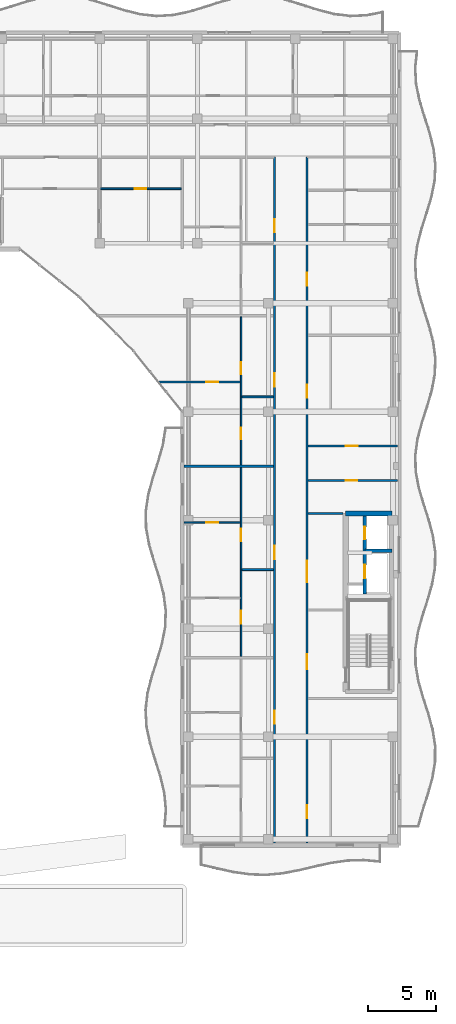
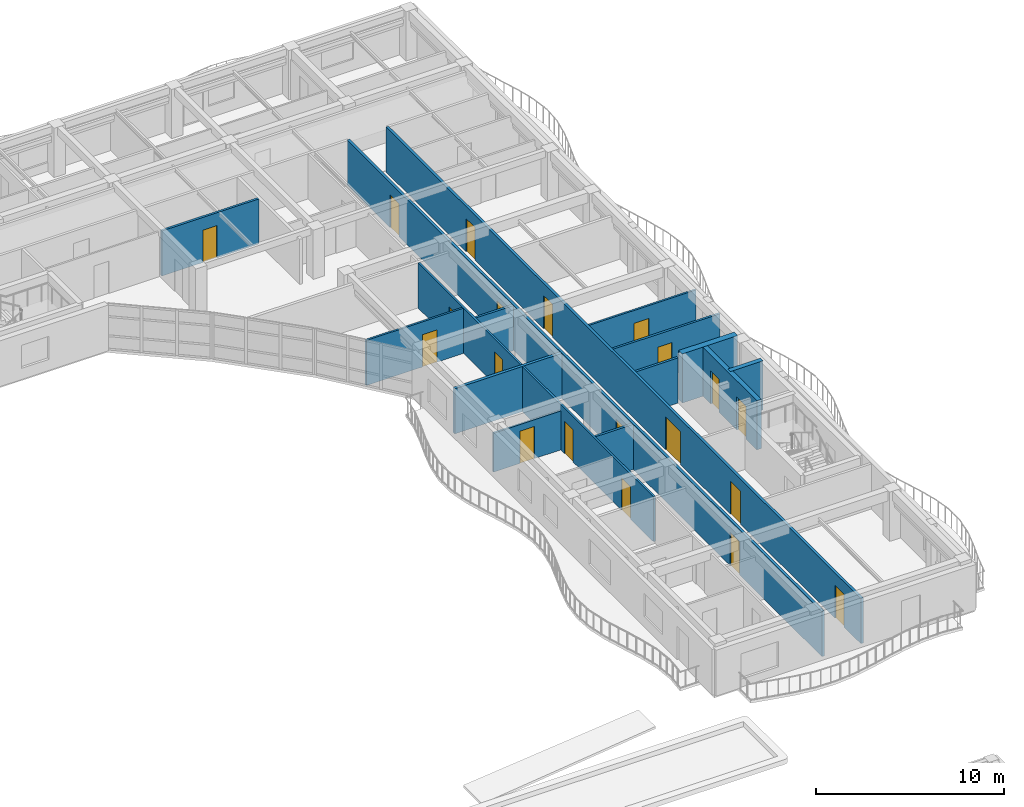
# One storey, part 98 of 128: 20 doors, 16 walls, 20 openings.
"""IFC4 building model written with IfcOpenShell, lengths in metres."""

from ifc_helpers import new_model, si_unit, direction, frame, frame_2d, origin, place, context, subcontext, project, spatial, rectangle, extrude, material, layer, layer_set, type_object, element, fill, save


model = new_model("IFC4")

# Units and contexts
model_context = context("Model", 3, precision=1e-05, world=origin(), true_north=direction((0.0, 1.0)))
body_context = subcontext(model_context, "Body", "Model", "MODEL_VIEW")
ifc_project = project(units=[si_unit("LENGTHUNIT", "METRE"), si_unit("AREAUNIT", "SQUARE_METRE"), si_unit("VOLUMEUNIT", "CUBIC_METRE"), si_unit("PLANEANGLEUNIT", "RADIAN"), si_unit("MASSUNIT", "GRAM", prefix="KILO")], contexts=[model_context])

# Site, building, storey
site_placement = place(None, origin())
site = spatial("IfcSite", under=ifc_project, at=site_placement, CompositionType="ELEMENT")
building_placement = place(site_placement, origin())
building = spatial("IfcBuilding", under=site, at=building_placement, Name="Keldmere Railside Commons", CompositionType="ELEMENT")
storey_placement = place(building_placement, frame((0.0, 0.0, 4.159912109375)))
storey = spatial("IfcBuildingStorey", under=building, at=storey_placement, Name="L01", CompositionType="ELEMENT", Elevation=4.159912109375)

# Wall
ifc_material_1 = material(Name="Acoustic Gypsum Board Partition", Category="gypsum")
ifc_layer_1 = layer(ifc_material_1, 0.179931640625, Name="Acoustic Demising Partition 180")
ifc_layer_set_1 = layer_set([ifc_layer_1], Name="Acoustic Gypsum Board Partition")
wall_type_1 = type_object("IfcWallType", Name="Acoustic Demising Partition 180", PredefinedType="PARTITIONING", material=ifc_layer_set_1)
wall_1_placement = place(storey_placement, frame((168.1298828125, 83.97998046875, 0.0), z_axis=(0.0, 0.0, 1.0), x_axis=(1.0, 0.0, 0.0)))
element("IfcWall", 1, at=wall_1_placement, inside=storey, type_object=wall_type_1, Name="IW-1 IW-L01-1431", PredefinedType="PARTITIONING", context=body_context, shape_type="SweptSolid", body=[
    extrude(rectangle(XDim=6.590087890625, YDim=0.179931640625, at=frame_2d((3.294921875, 0.0))), origin(), (0.0, 0.0, 1.0), 2.93505859375),
])

# Wall, openings, doors
ifc_layer_2 = layer(ifc_material_1, 0.1201171875, Name="Apartment Interior Partition 120")
ifc_layer_set_2 = layer_set([ifc_layer_2], Name="Acoustic Gypsum Board Partition")
wall_type_2 = type_object("IfcWallType", Name="Apartment Interior Partition 120", PredefinedType="PARTITIONING", material=ifc_layer_set_2)
wall_2_placement = place(storey_placement, frame((172.340087890625, 69.919921875, 0.0), z_axis=(0.0, 0.0, 1.0), x_axis=(0.0, 1.0, 0.0)))
wall_2 = element("IfcWall", 2, at=wall_2_placement, inside=storey, type_object=wall_type_2, Name="IW-4 IW-L01-1437", PredefinedType="PARTITIONING", context=body_context, shape_type="SweptSolid", body=[
    extrude(rectangle(XDim=13.969970703125, YDim=0.1201171875, at=frame_2d((6.98486328125, 0.0))), origin(), (0.0, 0.0, 1.0), 2.93505859375),
])
opening_1_placement = place(wall_2_placement, frame((2.443359375, 0.0, 0.0)))
opening_1 = element("IfcOpeningElement", 3, at=opening_1_placement, cuts=wall_2, Name="Opening ID-05", PredefinedType="OPENING", context=body_context, shape_type="SweptSolid", body=[
    extrude(rectangle(XDim=0.93994140625, YDim=2.10009765625, at=frame_2d((0.469970703125, 1.050048828125))), frame((0.0, 0.070068359375, 0.0), z_axis=(0.0, -1.0, 0.0), x_axis=(1.0, 0.0, 0.0)), (0.0, 0.0, 1.0), 0.14013671875),
])
opening_2_placement = place(wall_2_placement, frame((8.541259765625, 0.0, 0.0)))
opening_2 = element("IfcOpeningElement", 4, at=opening_2_placement, cuts=wall_2, Name="Opening ID-03", PredefinedType="OPENING", context=body_context, shape_type="SweptSolid", body=[
    extrude(rectangle(XDim=0.919921875, YDim=2.10009765625, at=frame_2d((0.4599609375, 1.050048828125))), frame((0.0, 0.070068359375, 0.0), z_axis=(0.0, -1.0, 0.0), x_axis=(1.0, 0.0, 0.0)), (0.0, 0.0, 1.0), 0.14013671875),
])
ifc_material_2 = material(Name="Engineered Oak Timber", Category="wood")
door_type_1 = type_object("IfcDoorType", Name="Accessible Bathroom Door 940x2100", OperationType="NOTDEFINED", PredefinedType="DOOR", material=ifc_material_2)
door_1_placement = place(opening_1_placement, origin())
door_1 = element("IfcDoor", 5, at=door_1_placement, inside=storey, type_object=door_type_1, Name="ID-05 IDR-L01-1281", OperationType="SINGLE_SWING_LEFT", OverallHeight=2.10009765625, OverallWidth=0.93994140625, PredefinedType="DOOR", context=body_context, shape_type="SweptSolid", body=[
    extrude(rectangle(XDim=0.93994140625, YDim=2.10009765625, at=frame_2d((0.469970703125, 1.050048828125))), frame((0.0, 0.02490234375, 0.0), z_axis=(0.0, -1.0, 0.0), x_axis=(1.0, 0.0, 0.0)), (0.0, 0.0, 1.0), 0.050048828125),
])
fill(opening_1, door_1)
door_type_2 = type_object("IfcDoorType", Name="Kitchen Pocket-Frame Swing Door 920x2100", OperationType="NOTDEFINED", PredefinedType="DOOR", material=ifc_material_2)
door_2_placement = place(opening_2_placement, origin())
door_2 = element("IfcDoor", 6, at=door_2_placement, inside=storey, type_object=door_type_2, Name="ID-03 IDR-L01-1282", OperationType="SINGLE_SWING_RIGHT", OverallHeight=2.10009765625, OverallWidth=0.919921875, PredefinedType="DOOR", context=body_context, shape_type="SweptSolid", body=[
    extrude(rectangle(XDim=0.919921875, YDim=2.10009765625, at=frame_2d((0.4599609375, 1.050048828125))), frame((0.0, 0.02490234375, 0.0), z_axis=(0.0, -1.0, 0.0), x_axis=(1.0, 0.0, 0.0)), (0.0, 0.0, 1.0), 0.050048828125),
])
fill(opening_2, door_2)

# Wall, opening, door
wall_3_placement = place(storey_placement, frame((168.1298828125, 79.840087890625, 0.0), z_axis=(0.0, 0.0, 1.0), x_axis=(1.0, 0.0, 0.0)))
wall_3 = element("IfcWall", 7, at=wall_3_placement, inside=storey, type_object=wall_type_2, Name="IW-4 IW-L01-1440", PredefinedType="PARTITIONING", context=body_context, shape_type="SweptSolid", body=[
    extrude(rectangle(XDim=4.150146484375, YDim=0.1201171875, at=frame_2d((2.0751953125, 0.0))), origin(), (0.0, 0.0, 1.0), 2.530029296875),
])
opening_3_placement = place(wall_3_placement, frame((1.635009765625, 0.0, 0.0)))
opening_3 = element("IfcOpeningElement", 8, at=opening_3_placement, cuts=wall_3, Name="Opening ID-02", PredefinedType="OPENING", context=body_context, shape_type="SweptSolid", body=[
    extrude(rectangle(XDim=0.8798828125, YDim=2.10009765625, at=frame_2d((0.43994140625, 1.050048828125))), frame((0.0, 0.070068359375, 0.0), z_axis=(0.0, -1.0, 0.0), x_axis=(1.0, 0.0, 0.0)), (0.0, 0.0, 1.0), 0.14013671875),
])
door_type_3 = type_object("IfcDoorType", Name="Secondary Bedroom Door 880x2100", OperationType="NOTDEFINED", PredefinedType="DOOR", material=ifc_material_2)
door_3_placement = place(opening_3_placement, origin())
door_3 = element("IfcDoor", 9, at=door_3_placement, inside=storey, type_object=door_type_3, Name="ID-02 IDR-L01-1285", OperationType="SINGLE_SWING_LEFT", OverallHeight=2.10009765625, OverallWidth=0.8798828125, PredefinedType="DOOR", context=body_context, shape_type="SweptSolid", body=[
    extrude(rectangle(XDim=0.8798828125, YDim=2.10009765625, at=frame_2d((0.43994140625, 1.050048828125))), frame((0.0, 0.02490234375, 0.0), z_axis=(0.0, -1.0, 0.0), x_axis=(1.0, 0.0, 0.0)), (0.0, 0.0, 1.0), 0.050048828125),
])
fill(opening_3, door_3)

# Wall, openings, doors
wall_4_placement = place(storey_placement, frame((172.340087890625, 84.070068359375, 0.0), z_axis=(0.0, 0.0, 1.0), x_axis=(0.0, 1.0, 0.0)))
wall_4 = element("IfcWall", 10, at=wall_4_placement, inside=storey, type_object=wall_type_2, Name="IW-4 IW-L01-1441", PredefinedType="PARTITIONING", context=body_context, shape_type="SweptSolid", body=[
    extrude(rectangle(XDim=10.93994140625, YDim=0.1201171875, at=frame_2d((5.469970703125, 0.0))), origin(), (0.0, 0.0, 1.0), 2.93505859375),
])
opening_4_placement = place(wall_4_placement, frame((1.911376953125, 0.0, 0.0)))
opening_4 = element("IfcOpeningElement", 11, at=opening_4_placement, cuts=wall_4, Name="Opening ID-04", PredefinedType="OPENING", context=body_context, shape_type="SweptSolid", body=[
    extrude(rectangle(XDim=0.860107421875, YDim=2.10009765625, at=frame_2d((0.43017578125, 1.050048828125))), frame((0.0, 0.070068359375, 0.0), z_axis=(0.0, -1.0, 0.0), x_axis=(1.0, 0.0, 0.0)), (0.0, 0.0, 1.0), 0.14013671875),
])
opening_5_placement = place(wall_4_placement, frame((6.684814453125, 0.0, 0.0)))
opening_5 = element("IfcOpeningElement", 12, at=opening_5_placement, cuts=wall_4, Name="Opening ID-03", PredefinedType="OPENING", context=body_context, shape_type="SweptSolid", body=[
    extrude(rectangle(XDim=0.919921875, YDim=2.10009765625, at=frame_2d((0.4599609375, 1.050048828125))), frame((0.0, 0.070068359375, 0.0), z_axis=(0.0, -1.0, 0.0), x_axis=(1.0, 0.0, 0.0)), (0.0, 0.0, 1.0), 0.14013671875),
])
door_type_4 = type_object("IfcDoorType", Name="Apartment Bathroom Door 860x2100", OperationType="NOTDEFINED", PredefinedType="DOOR", material=ifc_material_2)
door_4_placement = place(opening_4_placement, origin())
door_4 = element("IfcDoor", 13, at=door_4_placement, inside=storey, type_object=door_type_4, Name="ID-04 IDR-L01-1286", OperationType="SINGLE_SWING_RIGHT", OverallHeight=2.10009765625, OverallWidth=0.860107421875, PredefinedType="DOOR", context=body_context, shape_type="SweptSolid", body=[
    extrude(rectangle(XDim=0.860107421875, YDim=2.10009765625, at=frame_2d((0.43017578125, 1.050048828125))), frame((0.0, 0.02490234375, 0.0), z_axis=(0.0, -1.0, 0.0), x_axis=(1.0, 0.0, 0.0)), (0.0, 0.0, 1.0), 0.050048828125),
])
fill(opening_4, door_4)
door_5_placement = place(opening_5_placement, origin())
door_5 = element("IfcDoor", 14, at=door_5_placement, inside=storey, type_object=door_type_2, Name="ID-03 IDR-L01-1287", OperationType="SINGLE_SWING_LEFT", OverallHeight=2.10009765625, OverallWidth=0.919921875, PredefinedType="DOOR", context=body_context, shape_type="SweptSolid", body=[
    extrude(rectangle(XDim=0.919921875, YDim=2.10009765625, at=frame_2d((0.4599609375, 1.050048828125))), frame((0.0, 0.02490234375, 0.0), z_axis=(0.0, -1.0, 0.0), x_axis=(1.0, 0.0, 0.0)), (0.0, 0.0, 1.0), 0.050048828125),
])
fill(opening_5, door_5)

# Wall, opening, door
wall_5_placement = place(storey_placement, frame((166.286376953125, 90.199951171875, 0.0), z_axis=(0.0, 0.0, 1.0), x_axis=(1.0, 0.0, 0.0)))
wall_5 = element("IfcWall", 15, at=wall_5_placement, inside=storey, type_object=wall_type_2, Name="IW-4 IW-L01-1443", PredefinedType="PARTITIONING", context=body_context, shape_type="SweptSolid", body=[
    extrude(rectangle(XDim=5.99365234375, YDim=0.1201171875, at=frame_2d((2.996826171875, 0.0))), origin(), (0.0, 0.0, 1.0), 2.93505859375),
])
opening_6_placement = place(wall_5_placement, frame((3.468994140625, 0.0, 0.0)))
opening_6 = element("IfcOpeningElement", 16, at=opening_6_placement, cuts=wall_5, Name="Opening ID-01", PredefinedType="OPENING", context=body_context, shape_type="SweptSolid", body=[
    extrude(rectangle(XDim=0.89990234375, YDim=2.10009765625, at=frame_2d((0.449951171875, 1.050048828125))), frame((0.0, 0.070068359375, 0.0), z_axis=(0.0, -1.0, 0.0), x_axis=(1.0, 0.0, 0.0)), (0.0, 0.0, 1.0), 0.14013671875),
])
door_type_5 = type_object("IfcDoorType", Name="Primary Bedroom Door 900x2100", OperationType="NOTDEFINED", PredefinedType="DOOR", material=ifc_material_2)
door_6_placement = place(opening_6_placement, origin())
door_6 = element("IfcDoor", 17, at=door_6_placement, inside=storey, type_object=door_type_5, Name="ID-01 IDR-L01-1289", OperationType="SINGLE_SWING_LEFT", OverallHeight=2.10009765625, OverallWidth=0.89990234375, PredefinedType="DOOR", context=body_context, shape_type="SweptSolid", body=[
    extrude(rectangle(XDim=0.89990234375, YDim=2.10009765625, at=frame_2d((0.449951171875, 1.050048828125))), frame((0.0, 0.02490234375, 0.0), z_axis=(0.0, -1.0, 0.0), x_axis=(1.0, 0.0, 0.0)), (0.0, 0.0, 1.0), 0.050048828125),
])
fill(opening_6, door_6)

wall_6_placement = place(storey_placement, frame((177.280029296875, 85.47998046875, 0.0), z_axis=(0.0, 0.0, 1.0), x_axis=(1.0, 0.0, 0.0)))
wall_6 = element("IfcWall", 18, at=wall_6_placement, inside=storey, type_object=wall_type_2, Name="IW-4 IW-L01-1459", PredefinedType="PARTITIONING", context=body_context, shape_type="SweptSolid", body=[
    extrude(rectangle(XDim=6.590087890625, YDim=0.1201171875, at=frame_2d((3.294921875, 0.0))), origin(), (0.0, 0.0, 1.0), 2.93505859375),
])
opening_7_placement = place(wall_6_placement, frame((2.767822265625, 0.0, 0.0)))
opening_7 = element("IfcOpeningElement", 19, at=opening_7_placement, cuts=wall_6, Name="Opening ID-03", PredefinedType="OPENING", context=body_context, shape_type="SweptSolid", body=[
    extrude(rectangle(XDim=0.919921875, YDim=2.10009765625, at=frame_2d((0.4599609375, 1.050048828125))), frame((0.0, 0.070068359375, 0.0), z_axis=(0.0, -1.0, 0.0), x_axis=(1.0, 0.0, 0.0)), (0.0, 0.0, 1.0), 0.14013671875),
])
door_7_placement = place(opening_7_placement, origin())
door_7 = element("IfcDoor", 20, at=door_7_placement, inside=storey, type_object=door_type_2, Name="ID-03 IDR-L01-1310", OperationType="SINGLE_SWING_RIGHT", OverallHeight=2.10009765625, OverallWidth=0.919921875, PredefinedType="DOOR", context=body_context, shape_type="SweptSolid", body=[
    extrude(rectangle(XDim=0.919921875, YDim=2.10009765625, at=frame_2d((0.4599609375, 1.050048828125))), frame((0.0, 0.02490234375, 0.0), z_axis=(0.0, -1.0, 0.0), x_axis=(1.0, 0.0, 0.0)), (0.0, 0.0, 1.0), 0.050048828125),
])
fill(opening_7, door_7)

# Wall
ifc_material_3 = material(Name="Concrete H-35 (C35/45)", Category="concrete")
ifc_layer_3 = layer(ifc_material_3, 0.280029296875, Name="Core Shear Wall 280")
ifc_layer_set_3 = layer_set([ifc_layer_3], Name="Concrete H-35 (C35/45)")
wall_type_3 = type_object("IfcWallType", Name="Core Shear Wall 280", PredefinedType="SHEAR", material=ifc_layer_set_3)
wall_7_placement = place(storey_placement, frame((181.469970703125, 77.75, 0.0), z_axis=(0.0, 0.0, 1.0), x_axis=(1.0, 0.0, 0.0)))
element("IfcWall", 21, at=wall_7_placement, inside=storey, type_object=wall_type_3, Name="CSW-2 COREAL-L01-0725", PredefinedType="SHEAR", context=body_context, shape_type="SweptSolid", body=[
    extrude(rectangle(XDim=2.0, YDim=0.280029296875, at=frame_2d((1.0, 0.0))), origin(), (0.0, 0.0, 1.0), 3.2001953125),
])

# Wall, openings, doors
wall_8_placement = place(storey_placement, frame((181.469970703125, 74.550048828125, 0.0), z_axis=(0.0, 0.0, 1.0), x_axis=(0.0, 1.0, 0.0)))
wall_8 = element("IfcWall", 22, at=wall_8_placement, inside=storey, type_object=wall_type_3, Name="CSW-2 LSHA-L01-0726", PredefinedType="SHEAR", context=body_context, shape_type="SweptSolid", body=[
    extrude(rectangle(XDim=5.949951171875, YDim=0.280029296875, at=frame_2d((2.97509765625, 0.0))), origin(), (0.0, 0.0, 1.0), 3.2001953125),
])
opening_8_placement = place(wall_8_placement, frame((1.14990234375, 0.0, 0.0)))
opening_8 = element("IfcOpeningElement", 23, at=opening_8_placement, cuts=wall_8, Name="Opening LD-1", PredefinedType="OPENING", context=body_context, shape_type="SweptSolid", body=[
    extrude(rectangle(XDim=1.0, YDim=2.14990234375, at=frame_2d((0.5, 1.074951171875))), frame((0.0, 0.14990234375, 0.0), z_axis=(0.0, -1.0, 0.0), x_axis=(1.0, 0.0, 0.0)), (0.0, 0.0, 1.0), 0.300048828125),
])
opening_9_placement = place(wall_8_placement, frame((4.050048828125, 0.0, 0.0)))
opening_9 = element("IfcOpeningElement", 24, at=opening_9_placement, cuts=wall_8, Name="Opening LD-2", PredefinedType="OPENING", context=body_context, shape_type="SweptSolid", body=[
    extrude(rectangle(XDim=0.89990234375, YDim=2.14990234375, at=frame_2d((0.449951171875, 1.074951171875))), frame((0.0, 0.14990234375, 0.0), z_axis=(0.0, -1.0, 0.0), x_axis=(1.0, 0.0, 0.0)), (0.0, 0.0, 1.0), 0.300048828125),
])
ifc_material_4 = material(Name="Steel F-24 (S235)", Category="steel")
door_type_6 = type_object("IfcDoorType", Name="Firefighting Stretcher Lift Landing Door 1000x2150", OperationType="SLIDING_TO_LEFT", PredefinedType="DOOR", material=ifc_material_4)
door_8_placement = place(opening_8_placement, origin())
door_8 = element("IfcDoor", 25, at=door_8_placement, inside=storey, type_object=door_type_6, Name="LD-1 A L01", OperationType="SLIDING_TO_LEFT", OverallHeight=2.14990234375, OverallWidth=1.0, PredefinedType="DOOR", context=body_context, shape_type="SweptSolid", body=[
    extrude(rectangle(XDim=1.0, YDim=2.14990234375, at=frame_2d((0.5, 1.074951171875))), frame((0.0, 0.02490234375, 0.0), z_axis=(0.0, -1.0, 0.0), x_axis=(1.0, 0.0, 0.0)), (0.0, 0.0, 1.0), 0.050048828125),
])
fill(opening_8, door_8)
door_type_7 = type_object("IfcDoorType", Name="Passenger Lift Sliding Landing Door 900x2150", OperationType="SLIDING_TO_RIGHT", PredefinedType="DOOR", material=ifc_material_4)
door_9_placement = place(opening_9_placement, origin())
door_9 = element("IfcDoor", 26, at=door_9_placement, inside=storey, type_object=door_type_7, Name="LD-2 A L01", OperationType="SLIDING_TO_RIGHT", OverallHeight=2.14990234375, OverallWidth=0.89990234375, PredefinedType="DOOR", context=body_context, shape_type="SweptSolid", body=[
    extrude(rectangle(XDim=0.89990234375, YDim=2.14990234375, at=frame_2d((0.449951171875, 1.074951171875))), frame((0.0, 0.02490234375, 0.0), z_axis=(0.0, -1.0, 0.0), x_axis=(1.0, 0.0, 0.0)), (0.0, 0.0, 1.0), 0.050048828125),
])
fill(opening_9, door_9)

# Wall
ifc_material_5 = material(Name="Concrete H-40 (C40/50)", Category="concrete")
ifc_layer_4 = layer(ifc_material_5, 0.3798828125, Name="Core Shear Wall 380")
ifc_layer_set_4 = layer_set([ifc_layer_4], Name="Concrete H-40 (C40/50)")
wall_type_4 = type_object("IfcWallType", Name="Core Shear Wall 380", PredefinedType="SHEAR", material=ifc_layer_set_4)
wall_9_placement = place(storey_placement, frame((180.06005859375, 80.5, 0.0), z_axis=(0.0, 0.0, 1.0), x_axis=(1.0, 0.0, 0.0)))
element("IfcWall", 27, at=wall_9_placement, inside=storey, type_object=wall_type_4, Name="CW-CORE COREAN-L01-0721", PredefinedType="SHEAR", context=body_context, shape_type="SweptSolid", body=[
    extrude(rectangle(XDim=3.409912109375, YDim=0.3798828125, at=frame_2d((1.705078125, 0.0))), origin(), (0.0, 0.0, 1.0), 3.2001953125),
])

# Wall, openings, doors
ifc_layer_5 = layer(ifc_material_1, 0.159912109375, Name="Corridor Fire Partition 160")
ifc_layer_set_5 = layer_set([ifc_layer_5], Name="Acoustic Gypsum Board Partition")
wall_type_5 = type_object("IfcWallType", Name="Corridor Fire Partition 160", PredefinedType="PARTITIONING", material=ifc_layer_set_5)
wall_10_placement = place(storey_placement, frame((174.800048828125, 56.179931640625, 0.0), z_axis=(0.0, 0.0, 1.0), x_axis=(0.0, 1.0, 0.0)))
wall_10 = element("IfcWall", 28, at=wall_10_placement, inside=storey, type_object=wall_type_5, Name="IW-2 IW-L01-1422", PredefinedType="PARTITIONING", context=body_context, shape_type="SweptSolid", body=[
    extrude(rectangle(XDim=50.6201171875, YDim=0.159912109375, at=frame_2d((25.31005859375, 0.0))), origin(), (0.0, 0.0, 1.0), 2.93505859375),
])
opening_10_placement = place(wall_10_placement, frame((8.7900390625, 0.0, 0.0)))
opening_10 = element("IfcOpeningElement", 29, at=opening_10_placement, cuts=wall_10, Name="Opening FD-7", PredefinedType="OPENING", context=body_context, shape_type="SweptSolid", body=[
    extrude(rectangle(XDim=0.97998046875, YDim=2.14990234375, at=frame_2d((0.489990234375, 1.074951171875))), frame((0.0, 0.08984375, 0.0), z_axis=(0.0, -1.0, 0.0), x_axis=(1.0, 0.0, 0.0)), (0.0, 0.0, 1.0), 0.179931640625),
])
opening_11_placement = place(wall_10_placement, frame((20.919921875, 0.0, 0.0)))
opening_11 = element("IfcOpeningElement", 30, at=opening_11_placement, cuts=wall_10, Name="Opening FD-8", PredefinedType="OPENING", context=body_context, shape_type="SweptSolid", body=[
    extrude(rectangle(XDim=1.02001953125, YDim=2.14990234375, at=frame_2d((0.510009765625, 1.074951171875))), frame((0.0, 0.08984375, 0.0), z_axis=(0.0, -1.0, 0.0), x_axis=(1.0, 0.0, 0.0)), (0.0, 0.0, 1.0), 0.179931640625),
])
opening_12_placement = place(wall_10_placement, frame((33.669921875, 0.0, 0.0)))
opening_12 = element("IfcOpeningElement", 31, at=opening_12_placement, cuts=wall_10, Name="Opening FD-7", PredefinedType="OPENING", context=body_context, shape_type="SweptSolid", body=[
    extrude(rectangle(XDim=0.97998046875, YDim=2.14990234375, at=frame_2d((0.489990234375, 1.074951171875))), frame((0.0, 0.08984375, 0.0), z_axis=(0.0, -1.0, 0.0), x_axis=(1.0, 0.0, 0.0)), (0.0, 0.0, 1.0), 0.179931640625),
])
opening_13_placement = place(wall_10_placement, frame((45.06005859375, 0.0, 0.0)))
opening_13 = element("IfcOpeningElement", 32, at=opening_13_placement, cuts=wall_10, Name="Opening FD-7", PredefinedType="OPENING", context=body_context, shape_type="SweptSolid", body=[
    extrude(rectangle(XDim=0.97998046875, YDim=2.14990234375, at=frame_2d((0.489990234375, 1.074951171875))), frame((0.0, 0.08984375, 0.0), z_axis=(0.0, -1.0, 0.0), x_axis=(1.0, 0.0, 0.0)), (0.0, 0.0, 1.0), 0.179931640625),
])
door_type_8 = type_object("IfcDoorType", Name="Adaptable Apartment Entrance Fire Door 1020x2150", OperationType="NOTDEFINED", PredefinedType="DOOR", material=ifc_material_2)
door_10_placement = place(opening_11_placement, origin())
door_10 = element("IfcDoor", 33, at=door_10_placement, inside=storey, type_object=door_type_8, Name="FD-8 IDR-L01-1283", OperationType="SINGLE_SWING_LEFT", OverallHeight=2.14990234375, OverallWidth=1.02001953125, PredefinedType="DOOR", context=body_context, shape_type="SweptSolid", body=[
    extrude(rectangle(XDim=1.02001953125, YDim=2.14990234375, at=frame_2d((0.510009765625, 1.074951171875))), frame((0.0, 0.02490234375, 0.0), z_axis=(0.0, -1.0, 0.0), x_axis=(1.0, 0.0, 0.0)), (0.0, 0.0, 1.0), 0.050048828125),
])
fill(opening_11, door_10)
door_type_9 = type_object("IfcDoorType", Name="Apartment Entrance Acoustic Fire Door 980x2150", OperationType="NOTDEFINED", PredefinedType="DOOR", material=ifc_material_2)
door_11_placement = place(opening_10_placement, origin())
door_11 = element("IfcDoor", 34, at=door_11_placement, inside=storey, type_object=door_type_9, Name="FD-7 IDR-L01-1278", OperationType="SINGLE_SWING_RIGHT", OverallHeight=2.14990234375, OverallWidth=0.97998046875, PredefinedType="DOOR", context=body_context, shape_type="SweptSolid", body=[
    extrude(rectangle(XDim=0.97998046875, YDim=2.14990234375, at=frame_2d((0.489990234375, 1.074951171875))), frame((0.0, 0.02490234375, 0.0), z_axis=(0.0, -1.0, 0.0), x_axis=(1.0, 0.0, 0.0)), (0.0, 0.0, 1.0), 0.050048828125),
])
fill(opening_10, door_11)
door_12_placement = place(opening_12_placement, origin())
door_12 = element("IfcDoor", 35, at=door_12_placement, inside=storey, type_object=door_type_9, Name="FD-7 IDR-L01-1288", OperationType="SINGLE_SWING_RIGHT", OverallHeight=2.14990234375, OverallWidth=0.97998046875, PredefinedType="DOOR", context=body_context, shape_type="SweptSolid", body=[
    extrude(rectangle(XDim=0.97998046875, YDim=2.14990234375, at=frame_2d((0.489990234375, 1.074951171875))), frame((0.0, 0.02490234375, 0.0), z_axis=(0.0, -1.0, 0.0), x_axis=(1.0, 0.0, 0.0)), (0.0, 0.0, 1.0), 0.050048828125),
])
fill(opening_12, door_12)
door_13_placement = place(opening_13_placement, origin())
door_13 = element("IfcDoor", 36, at=door_13_placement, inside=storey, type_object=door_type_9, Name="FD-7 IDR-L01-1292", OperationType="SINGLE_SWING_RIGHT", OverallHeight=2.14990234375, OverallWidth=0.97998046875, PredefinedType="DOOR", context=body_context, shape_type="SweptSolid", body=[
    extrude(rectangle(XDim=0.97998046875, YDim=2.14990234375, at=frame_2d((0.489990234375, 1.074951171875))), frame((0.0, 0.02490234375, 0.0), z_axis=(0.0, -1.0, 0.0), x_axis=(1.0, 0.0, 0.0)), (0.0, 0.0, 1.0), 0.050048828125),
])
fill(opening_13, door_13)

wall_11_placement = place(storey_placement, frame((177.199951171875, 56.179931640625, 0.0), z_axis=(0.0, 0.0, 1.0), x_axis=(0.0, 1.0, 0.0)))
wall_11 = element("IfcWall", 37, at=wall_11_placement, inside=storey, type_object=wall_type_5, Name="IW-2 IW-L01-1423", PredefinedType="PARTITIONING", context=body_context, shape_type="SweptSolid", body=[
    extrude(rectangle(XDim=50.6201171875, YDim=0.159912109375, at=frame_2d((25.31005859375, 0.0))), origin(), (0.0, 0.0, 1.0), 2.93505859375),
])
opening_14_placement = place(wall_11_placement, frame((12.820068359375, 0.0, 0.0)))
opening_14 = element("IfcOpeningElement", 38, at=opening_14_placement, cuts=wall_11, Name="Opening FD-2", PredefinedType="OPENING", context=body_context, shape_type="SweptSolid", body=[
    extrude(rectangle(XDim=1.10009765625, YDim=2.14990234375, at=frame_2d((0.550048828125, 1.074951171875))), frame((0.0, 0.08984375, 0.0), z_axis=(0.0, -1.0, 0.0), x_axis=(1.0, 0.0, 0.0)), (0.0, 0.0, 1.0), 0.179931640625),
])
opening_15_placement = place(wall_11_placement, frame((19.219970703125, 0.0, 0.0)))
opening_15 = element("IfcOpeningElement", 39, at=opening_15_placement, cuts=wall_11, Name="Opening FD-4", PredefinedType="OPENING", context=body_context, shape_type="SweptSolid", body=[
    extrude(rectangle(XDim=1.60009765625, YDim=2.14990234375, at=frame_2d((0.800048828125, 1.074951171875))), frame((0.0, 0.08984375, 0.0), z_axis=(0.0, -1.0, 0.0), x_axis=(1.0, 0.0, 0.0)), (0.0, 0.0, 1.0), 0.179931640625),
])
opening_16_placement = place(wall_11_placement, frame((1.800048828125, 0.0, 0.0)))
opening_16 = element("IfcOpeningElement", 40, at=opening_16_placement, cuts=wall_11, Name="Opening ID-08", PredefinedType="OPENING", context=body_context, shape_type="SweptSolid", body=[
    extrude(rectangle(XDim=0.9599609375, YDim=2.14990234375, at=frame_2d((0.47998046875, 1.074951171875))), frame((0.0, 0.08984375, 0.0), z_axis=(0.0, -1.0, 0.0), x_axis=(1.0, 0.0, 0.0)), (0.0, 0.0, 1.0), 0.179931640625),
])
opening_17_placement = place(wall_11_placement, frame((32.85009765625, 0.0, 0.0)))
opening_17 = element("IfcOpeningElement", 41, at=opening_17_placement, cuts=wall_11, Name="Opening FD-7", PredefinedType="OPENING", context=body_context, shape_type="SweptSolid", body=[
    extrude(rectangle(XDim=0.97998046875, YDim=2.14990234375, at=frame_2d((0.489990234375, 1.074951171875))), frame((0.0, 0.08984375, 0.0), z_axis=(0.0, -1.0, 0.0), x_axis=(1.0, 0.0, 0.0)), (0.0, 0.0, 1.0), 0.179931640625),
])
opening_18_placement = place(wall_11_placement, frame((41.110107421875, 0.0, 0.0)))
opening_18 = element("IfcOpeningElement", 42, at=opening_18_placement, cuts=wall_11, Name="Opening FD-7", PredefinedType="OPENING", context=body_context, shape_type="SweptSolid", body=[
    extrude(rectangle(XDim=0.97998046875, YDim=2.14990234375, at=frame_2d((0.489990234375, 1.074951171875))), frame((0.0, 0.08984375, 0.0), z_axis=(0.0, -1.0, 0.0), x_axis=(1.0, 0.0, 0.0)), (0.0, 0.0, 1.0), 0.179931640625),
])
door_14_placement = place(opening_17_placement, origin())
door_14 = element("IfcDoor", 43, at=door_14_placement, inside=storey, type_object=door_type_9, Name="FD-7 IDR-L01-1311", OperationType="SINGLE_SWING_LEFT", OverallHeight=2.14990234375, OverallWidth=0.97998046875, PredefinedType="DOOR", context=body_context, shape_type="SweptSolid", body=[
    extrude(rectangle(XDim=0.97998046875, YDim=2.14990234375, at=frame_2d((0.489990234375, 1.074951171875))), frame((0.0, 0.02490234375, 0.0), z_axis=(0.0, -1.0, 0.0), x_axis=(1.0, 0.0, 0.0)), (0.0, 0.0, 1.0), 0.050048828125),
])
fill(opening_17, door_14)
door_15_placement = place(opening_18_placement, origin())
door_15 = element("IfcDoor", 44, at=door_15_placement, inside=storey, type_object=door_type_9, Name="FD-7 IDR-L01-1314", OperationType="SINGLE_SWING_RIGHT", OverallHeight=2.14990234375, OverallWidth=0.97998046875, PredefinedType="DOOR", context=body_context, shape_type="SweptSolid", body=[
    extrude(rectangle(XDim=0.97998046875, YDim=2.14990234375, at=frame_2d((0.489990234375, 1.074951171875))), frame((0.0, 0.02490234375, 0.0), z_axis=(0.0, -1.0, 0.0), x_axis=(1.0, 0.0, 0.0)), (0.0, 0.0, 1.0), 0.050048828125),
])
fill(opening_18, door_15)
door_type_10 = type_object("IfcDoorType", Name="Corridor Cross-Compartment Double Fire Door 1600x2150", OperationType="DOUBLE_DOOR_SINGLE_SWING", PredefinedType="DOOR", material=ifc_material_4)
door_16_placement = place(opening_15_placement, origin())
door_16 = element("IfcDoor", 45, at=door_16_placement, inside=storey, type_object=door_type_10, Name="FD-4 IDR-L01-1275", OperationType="DOUBLE_DOOR_SINGLE_SWING", OverallHeight=2.14990234375, OverallWidth=1.60009765625, PredefinedType="DOOR", context=body_context, shape_type="SweptSolid", body=[
    extrude(rectangle(XDim=1.60009765625, YDim=2.14990234375, at=frame_2d((0.800048828125, 1.074951171875))), frame((0.0, 0.02490234375, 0.0), z_axis=(0.0, -1.0, 0.0), x_axis=(1.0, 0.0, 0.0)), (0.0, 0.0, 1.0), 0.050048828125),
])
fill(opening_15, door_16)
door_type_11 = type_object("IfcDoorType", Name="Firefighting Lobby Fire Door 1100x2150", OperationType="NOTDEFINED", PredefinedType="DOOR", material=ifc_material_4)
door_17_placement = place(opening_14_placement, origin())
door_17 = element("IfcDoor", 46, at=door_17_placement, inside=storey, type_object=door_type_11, Name="FD-2 IDR-L01-1274", OperationType="SINGLE_SWING_RIGHT", OverallHeight=2.14990234375, OverallWidth=1.10009765625, PredefinedType="DOOR", context=body_context, shape_type="SweptSolid", body=[
    extrude(rectangle(XDim=1.10009765625, YDim=2.14990234375, at=frame_2d((0.550048828125, 1.074951171875))), frame((0.0, 0.02490234375, 0.0), z_axis=(0.0, -1.0, 0.0), x_axis=(1.0, 0.0, 0.0)), (0.0, 0.0, 1.0), 0.050048828125),
])
fill(opening_14, door_17)
door_type_12 = type_object("IfcDoorType", Name="Study & Meeting Room Door 960x2150", OperationType="NOTDEFINED", PredefinedType="DOOR", material=ifc_material_2)
door_18_placement = place(opening_16_placement, origin())
door_18 = element("IfcDoor", 47, at=door_18_placement, inside=storey, type_object=door_type_12, Name="ID-08 IDR-L01-1308", OperationType="SINGLE_SWING_RIGHT", OverallHeight=2.14990234375, OverallWidth=0.9599609375, PredefinedType="DOOR", context=body_context, shape_type="SweptSolid", body=[
    extrude(rectangle(XDim=0.9599609375, YDim=2.14990234375, at=frame_2d((0.47998046875, 1.074951171875))), frame((0.0, 0.02490234375, 0.0), z_axis=(0.0, -1.0, 0.0), x_axis=(1.0, 0.0, 0.0)), (0.0, 0.0, 1.0), 0.050048828125),
])
fill(opening_16, door_18)

# Walls
ifc_layer_6 = layer(ifc_material_1, 0.14990234375, Name="Lobby Rated Partition 150")
ifc_layer_set_6 = layer_set([ifc_layer_6], Name="Acoustic Gypsum Board Partition")
wall_type_6 = type_object("IfcWallType", Name="Lobby Rated Partition 150", PredefinedType="PARTITIONING", material=ifc_layer_set_6)
wall_12_placement = place(storey_placement, frame((177.280029296875, 80.5, 0.0), z_axis=(0.0, 0.0, 1.0), x_axis=(1.0, 0.0, 0.0)))
element("IfcWall", 48, at=wall_12_placement, inside=storey, type_object=wall_type_6, Name="IW-3 IW-L01-1421", PredefinedType="PARTITIONING", context=body_context, shape_type="SweptSolid", body=[
    extrude(rectangle(XDim=2.590087890625, YDim=0.14990234375, at=frame_2d((1.294921875, 0.0))), origin(), (0.0, 0.0, 1.0), 2.93505859375),
])
ifc_layer_7 = layer(ifc_material_1, 0.139892578125, Name="Wet-Room Sanitary Partition 140")
ifc_layer_set_7 = layer_set([ifc_layer_7], Name="Acoustic Gypsum Board Partition")
wall_type_7 = type_object("IfcWallType", Name="Wet-Room Sanitary Partition 140", PredefinedType="PARTITIONING", material=ifc_layer_set_7)
for number, where, z_axis, x_axis, name in (
    (49, (172.39990234375, 76.35009765625, 0.0), (0.0, 0.0, 1.0), (1.0, 0.0, 0.0), "IW-5 IW-L01-1438"),
    (50, (172.39990234375, 89.10009765625, 0.0), (0.0, 0.0, 1.0), (1.0, 0.0, 0.0), "IW-5 IW-L01-1442"),
):
    element("IfcWall", number, at=place(storey_placement, frame(where, z_axis=z_axis, x_axis=x_axis)), inside=storey, type_object=wall_type_7, Name=name, PredefinedType="PARTITIONING", context=body_context, shape_type="SweptSolid", body=[
        extrude(rectangle(XDim=2.320068359375, YDim=0.139892578125, at=frame_2d((1.16015625, 0.0))), origin(), (0.0, 0.0, 1.0), 2.93505859375),
    ])

# Wall, opening, door
wall_13_placement = place(storey_placement, frame((161.93994140625, 104.469970703125, 0.0), z_axis=(0.0, 0.0, 1.0), x_axis=(1.0, 0.0, 0.0)))
wall_13 = element("IfcWall", 51, at=wall_13_placement, inside=storey, type_object=wall_type_7, Name="IW-5 IW-L01-1455", PredefinedType="PARTITIONING", context=body_context, shape_type="SweptSolid", body=[
    extrude(rectangle(XDim=5.969970703125, YDim=0.139892578125, at=frame_2d((2.98486328125, 0.0))), origin(), (0.0, 0.0, 1.0), 2.93505859375),
])
opening_19_placement = place(wall_13_placement, frame((2.53271484375, 0.0, 0.0)))
opening_19 = element("IfcOpeningElement", 52, at=opening_19_placement, cuts=wall_13, Name="Opening ID-04", PredefinedType="OPENING", context=body_context, shape_type="SweptSolid", body=[
    extrude(rectangle(XDim=0.860107421875, YDim=2.10009765625, at=frame_2d((0.43017578125, 1.050048828125))), frame((0.0, 0.079833984375, 0.0), z_axis=(0.0, -1.0, 0.0), x_axis=(1.0, 0.0, 0.0)), (0.0, 0.0, 1.0), 0.159912109375),
])
door_19_placement = place(opening_19_placement, origin())
door_19 = element("IfcDoor", 53, at=door_19_placement, inside=storey, type_object=door_type_4, Name="ID-04 IDR-L01-1307", OperationType="SINGLE_SWING_LEFT", OverallHeight=2.10009765625, OverallWidth=0.860107421875, PredefinedType="DOOR", context=body_context, shape_type="SweptSolid", body=[
    extrude(rectangle(XDim=0.860107421875, YDim=2.10009765625, at=frame_2d((0.43017578125, 1.050048828125))), frame((0.0, 0.02490234375, 0.0), z_axis=(0.0, -1.0, 0.0), x_axis=(1.0, 0.0, 0.0)), (0.0, 0.0, 1.0), 0.050048828125),
])
fill(opening_19, door_19)

wall_14_placement = place(storey_placement, frame((177.280029296875, 82.929931640625, 0.0), z_axis=(0.0, 0.0, 1.0), x_axis=(1.0, 0.0, 0.0)))
wall_14 = element("IfcWall", 54, at=wall_14_placement, inside=storey, type_object=wall_type_7, Name="IW-5 IW-L01-1458", PredefinedType="PARTITIONING", context=body_context, shape_type="SweptSolid", body=[
    extrude(rectangle(XDim=6.590087890625, YDim=0.139892578125, at=frame_2d((3.294921875, 0.0))), origin(), (0.0, 0.0, 1.0), 2.93505859375),
])
opening_20_placement = place(wall_14_placement, frame((2.767822265625, 0.0, 0.0)))
opening_20 = element("IfcOpeningElement", 55, at=opening_20_placement, cuts=wall_14, Name="Opening ID-04", PredefinedType="OPENING", context=body_context, shape_type="SweptSolid", body=[
    extrude(rectangle(XDim=0.860107421875, YDim=2.10009765625, at=frame_2d((0.43017578125, 1.050048828125))), frame((0.0, 0.079833984375, 0.0), z_axis=(0.0, -1.0, 0.0), x_axis=(1.0, 0.0, 0.0)), (0.0, 0.0, 1.0), 0.159912109375),
])
door_20_placement = place(opening_20_placement, origin())
door_20 = element("IfcDoor", 56, at=door_20_placement, inside=storey, type_object=door_type_4, Name="ID-04 IDR-L01-1309", OperationType="SINGLE_SWING_LEFT", OverallHeight=2.10009765625, OverallWidth=0.860107421875, PredefinedType="DOOR", context=body_context, shape_type="SweptSolid", body=[
    extrude(rectangle(XDim=0.860107421875, YDim=2.10009765625, at=frame_2d((0.43017578125, 1.050048828125))), frame((0.0, 0.02490234375, 0.0), z_axis=(0.0, -1.0, 0.0), x_axis=(1.0, 0.0, 0.0)), (0.0, 0.0, 1.0), 0.050048828125),
])
fill(opening_20, door_20)

save(model, "model.ifc")
